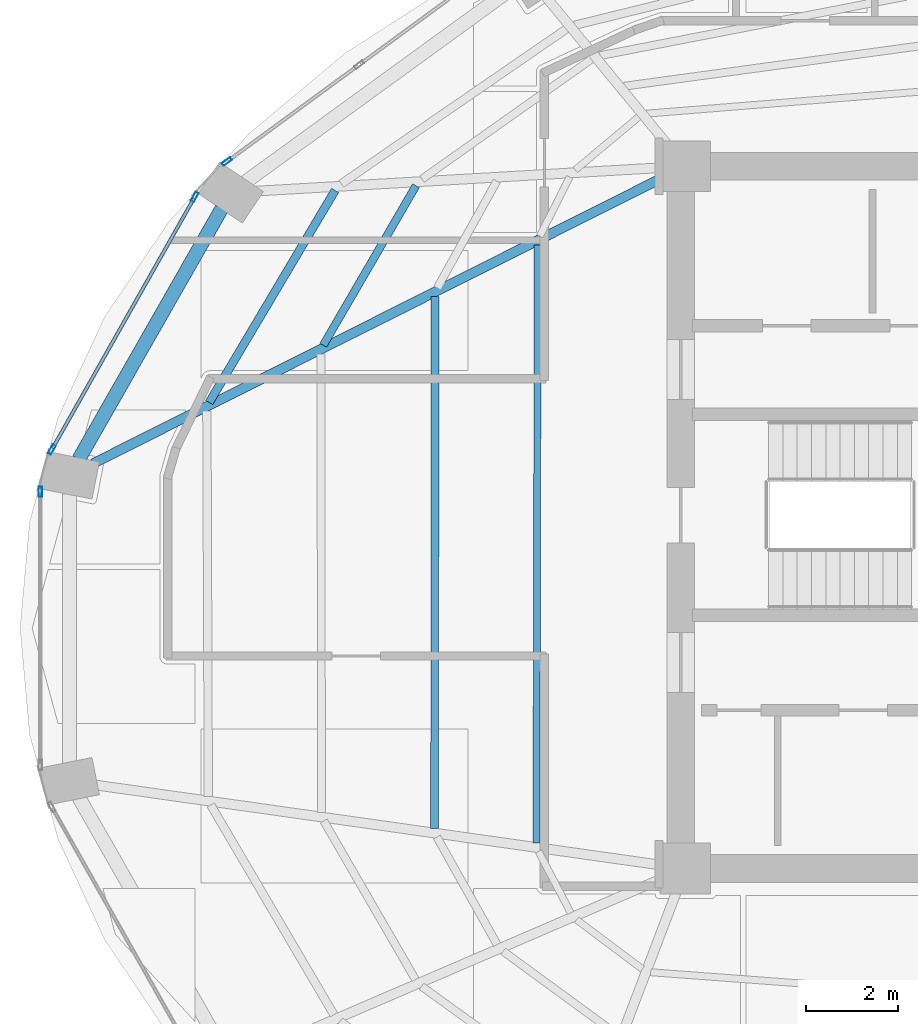
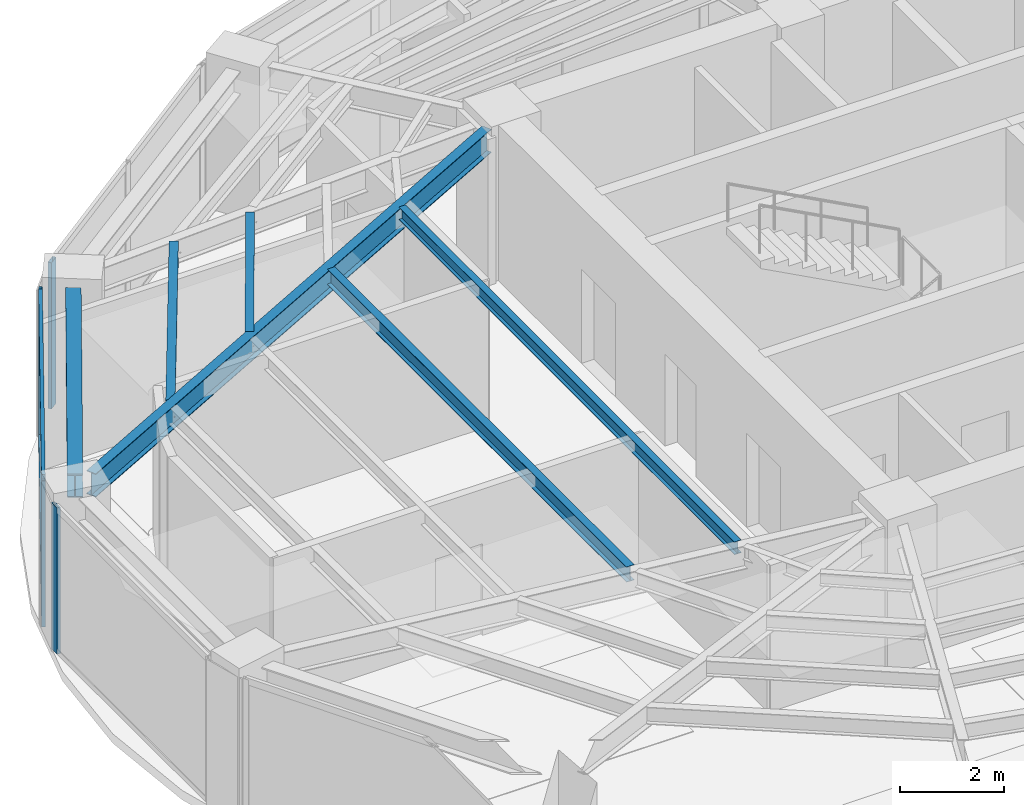
# One storey, part 6 of 20: 6 beams, 6 members, 3 elements without a shape of their own.
"""IFC4 building model written with IfcOpenShell, lengths in metres."""

from ifc_helpers import new_model, si_unit, direction, frame, origin, origin_2d, place, context, subcontext, project, spatial, hollow_rectangle, i_section, extrude, material, layer, layer_set, material_profile, profile_set, type_object, element, aggregate, save


model = new_model("IFC4")

# Units and contexts
model_context = context("Model", 3, precision=1e-05, world=origin(), true_north=direction((0.0, 1.0)))
body_context = subcontext(model_context, "Body", "Model", "MODEL_VIEW")
ifc_project = project(units=[si_unit("LENGTHUNIT", "METRE"), si_unit("AREAUNIT", "SQUARE_METRE"), si_unit("VOLUMEUNIT", "CUBIC_METRE"), si_unit("PLANEANGLEUNIT", "RADIAN"), si_unit("MASSUNIT", "GRAM", prefix="KILO")], contexts=[model_context])

# Site, building, storey
site_placement = place(None, origin())
site = spatial("IfcSite", under=ifc_project, at=site_placement, CompositionType="ELEMENT")
building_placement = place(site_placement, origin())
building = spatial("IfcBuilding", under=site, at=building_placement, Name="Lazwardi Medical Tower", CompositionType="ELEMENT")
storey_placement = place(building_placement, frame((0.0, 0.0, 160.176025390625)))
storey = spatial("IfcBuildingStorey", under=building, at=storey_placement, Name="L41", CompositionType="ELEMENT", Elevation=160.176025390625)

# Beams
ifc_material_1 = material(Name="Steel S355", Category="steel")
ifc_material_profile_1 = material_profile(ifc_material_1, i_section(OverallWidth=0.300048828125, OverallDepth=0.550048828125, WebThickness=0.014892578125, FlangeThickness=0.029052734375, at=origin_2d()), Name="HEB 550")
ifc_profile_set_1 = profile_set([ifc_material_profile_1], Name="Steel S355")
beam_type_1 = type_object("IfcBeamType", Name="BM-RB-Z3", PredefinedType="BEAM", material=ifc_profile_set_1)
beam_1_placement = place(storey_placement, frame((16.3662109375, 34.683349609375, 3.153076171875), z_axis=(-0.495477752551, -0.868620628771, 0.0), x_axis=(0.868620628771, -0.495477752551, 0.0)))
element("IfcBeam", 1, at=beam_1_placement, inside=storey, type_object=beam_type_1, Name="Ring beam RB-04 B11 L41", PredefinedType="BEAM", context=body_context, shape_type="SweptSolid", body=[
    extrude(i_section(OverallWidth=0.300048828125, OverallDepth=0.550048828125, WebThickness=0.014892578125, FlangeThickness=0.029052734375, at=origin_2d()), origin(), (0.0, 0.0, 1.0), 6.244384765625),
])
ifc_material_profile_2 = material_profile(ifc_material_1, i_section(OverallWidth=0.2099609375, OverallDepth=0.550048828125, WebThickness=0.010986328125, FlangeThickness=0.01708984375, at=origin_2d()), Name="IPE 550")
ifc_profile_set_2 = profile_set([ifc_material_profile_2], Name="Steel S355")
beam_type_2 = type_object("IfcBeamType", Name="BM-RG-W2", PredefinedType="BEAM", material=ifc_profile_set_2)
beam_2_placement = place(storey_placement, frame((13.57470703125, 29.162841796875, 3.153076171875), z_axis=(0.893740468624, 0.448584412061, 0.0), x_axis=(-0.448584412061, 0.893740468624, 0.0)))
element("IfcBeam", 2, at=beam_2_placement, inside=storey, type_object=beam_type_2, Name="Radial girder RG-03 R12 L41", PredefinedType="BEAM", context=body_context, shape_type="SweptSolid", body=[
    extrude(i_section(OverallWidth=0.2099609375, OverallDepth=0.550048828125, WebThickness=0.010986328125, FlangeThickness=0.01708984375, at=origin_2d()), origin(), (0.0, 0.0, 1.0), 13.815185546875),
])
ifc_material_profile_3 = material_profile(ifc_material_1, i_section(OverallWidth=0.179931640625, OverallDepth=0.39990234375, WebThickness=0.008544921875, FlangeThickness=0.013427734375, at=origin_2d()), Name="IPE 400")
ifc_profile_set_3 = profile_set([ifc_material_profile_3], Name="Steel S355")
beam_type_3 = type_object("IfcBeamType", Name="BM-SJ-01", PredefinedType="JOIST", material=ifc_profile_set_3)
beam_3_placement = place(storey_placement, frame((18.82080078125, 35.078369140625, 3.22802734375), z_axis=(-0.510569396963, -0.859836548935, 0.0), x_axis=(0.859836548935, -0.510569396963, 0.0)))
element("IfcBeam", 3, at=beam_3_placement, inside=storey, type_object=beam_type_3, Name="Secondary joist SJ-01 R1 B11 L41", PredefinedType="JOIST", context=body_context, shape_type="SweptSolid", body=[
    extrude(i_section(OverallWidth=0.179931640625, OverallDepth=0.39990234375, WebThickness=0.008544921875, FlangeThickness=0.013427734375, at=origin_2d()), origin(), (0.0, 0.0, 1.0), 5.33837890625),
])
ifc_material_profile_4 = material_profile(ifc_material_1, i_section(OverallWidth=0.169921875, OverallDepth=0.360107421875, WebThickness=0.008056640625, FlangeThickness=0.0126953125, at=origin_2d()), Name="IPE 360")
ifc_profile_set_4 = profile_set([ifc_material_profile_4], Name="Steel S355")
beam_type_4 = type_object("IfcBeamType", Name="BM-SJ-02", PredefinedType="JOIST", material=ifc_profile_set_4)
beam_4_placement = place(storey_placement, frame((20.5703125, 35.17919921875, 3.248046875), z_axis=(-0.502665102216, -0.864481228839, 0.0), x_axis=(0.864481228839, -0.502665102216, 0.0)))
element("IfcBeam", 4, at=beam_4_placement, inside=storey, type_object=beam_type_4, Name="Secondary joist SJ-02 R2 B11 L41", PredefinedType="JOIST", context=body_context, shape_type="SweptSolid", body=[
    extrude(i_section(OverallWidth=0.169921875, OverallDepth=0.360107421875, WebThickness=0.008056640625, FlangeThickness=0.0126953125, at=origin_2d()), origin(), (0.0, 0.0, 1.0), 3.991943359375),
])
beam_5_placement = place(storey_placement, frame((20.98291015625, 32.78125, 3.248046875), z_axis=(-0.000805852776, -0.999999675301, 0.0), x_axis=(0.999999675301, -0.000805852776, 0.0)))
element("IfcBeam", 5, at=beam_5_placement, inside=storey, type_object=beam_type_4, Name="Secondary joist SJ-02 R3 B12 L41", PredefinedType="JOIST", context=body_context, shape_type="SweptSolid", body=[
    extrude(i_section(OverallWidth=0.169921875, OverallDepth=0.360107421875, WebThickness=0.008056640625, FlangeThickness=0.0126953125, at=origin_2d()), origin(), (0.0, 0.0, 1.0), 11.512451171875),
])
ifc_material_profile_5 = material_profile(ifc_material_1, i_section(OverallWidth=0.14990234375, OverallDepth=0.300048828125, WebThickness=0.007080078125, FlangeThickness=0.0107421875, at=origin_2d()), Name="IPE 300")
ifc_profile_set_5 = profile_set([ifc_material_profile_5], Name="Steel S355")
beam_type_5 = type_object("IfcBeamType", Name="BM-SJ-03", PredefinedType="JOIST", material=ifc_profile_set_5)
beam_6_placement = place(storey_placement, frame((23.205078125, 33.896484375, 3.278076171875), z_axis=(-0.002150897838, -0.999997686817, 0.0), x_axis=(0.999997686817, -0.002150897838, 0.0)))
element("IfcBeam", 6, at=beam_6_placement, inside=storey, type_object=beam_type_5, Name="Secondary joist SJ-03 R4 B12 L41", PredefinedType="JOIST", context=body_context, shape_type="SweptSolid", body=[
    extrude(i_section(OverallWidth=0.14990234375, OverallDepth=0.300048828125, WebThickness=0.007080078125, FlangeThickness=0.0107421875, at=origin_2d()), origin(), (0.0, 0.0, 1.0), 12.939697265625),
])

# Curtain wall, member
ifc_material_2 = material(Name="Anodised bronze aluminium and solar control glazing", Category="aluminium")
ifc_layer = layer(ifc_material_2, 0.195068359375)
ifc_layer_set = layer_set([ifc_layer], Name="Anodised bronze aluminium and solar control glazing")
curtain_wall_type = type_object("IfcCurtainWallType", Name="CW-SYS-03", PredefinedType="NOTDEFINED", material=ifc_layer_set)
curtain_wall_1_placement = place(storey_placement, origin())
curtain_wall_1 = element("IfcCurtainWall", 7, at=curtain_wall_1_placement, inside=storey, type_object=curtain_wall_type, Name="L41 Unitised bronze curtain wall CW-03", PredefinedType="NOTDEFINED")
ifc_material_3 = material(Name="Anodised bronze aluminium", Category="aluminium")
ifc_material_profile_6 = material_profile(ifc_material_3, hollow_rectangle(XDim=0.074951171875, YDim=0.219970703125, WallThickness=0.00390625, at=origin_2d()), Name="ALU-MULLION 220x75x4")
ifc_profile_set_6 = profile_set([ifc_material_profile_6], Name="Anodised bronze aluminium")
member_type_1 = type_object("IfcMemberType", Name="CW-MUL-01", PredefinedType="MULLION", material=ifc_profile_set_6)
member_1_placement = place(storey_placement, frame((16.480224609375, 35.702880859375, 0.0), z_axis=(0.0, 0.0, 1.0), x_axis=(0.590833862635, -0.806793249082, 0.0)))
member_1 = element("IfcMember", 8, at=member_1_placement, type_object=member_type_1, Name="CW-03 mullion 3", PredefinedType="MULLION", context=body_context, shape_type="SweptSolid", body=[
    extrude(hollow_rectangle(XDim=0.074951171875, YDim=0.219970703125, WallThickness=0.00390625, at=origin_2d()), origin(), (0.0, 0.0, 1.0), 3.427978515625),
])
aggregate(curtain_wall_1, [member_1])

# Curtain wall, members
curtain_wall_2_placement = place(storey_placement, origin())
curtain_wall_2 = element("IfcCurtainWall", 9, at=curtain_wall_2_placement, inside=storey, type_object=curtain_wall_type, Name="L41 Unitised bronze curtain wall CW-03", PredefinedType="NOTDEFINED")
member_2_placement = place(storey_placement, frame((15.782470703125, 34.936767578125, 0.0), z_axis=(0.0, 0.0, 1.0), x_axis=(0.870418989303, -0.492311672683, 0.0)))
member_2 = element("IfcMember", 10, at=member_2_placement, type_object=member_type_1, Name="CW-03 mullion 1", PredefinedType="MULLION", context=body_context, shape_type="SweptSolid", body=[
    extrude(hollow_rectangle(XDim=0.074951171875, YDim=0.219970703125, WallThickness=0.00390625, at=origin_2d()), origin(), (0.0, 0.0, 1.0), 3.427978515625),
])
member_3_placement = place(storey_placement, frame((12.68896484375, 29.46728515625, 0.0), z_axis=(0.0, 0.0, 1.0), x_axis=(0.870418989303, -0.492311672683, 0.0)))
member_3 = element("IfcMember", 11, at=member_3_placement, type_object=member_type_1, Name="CW-03 mullion 2", PredefinedType="MULLION", context=body_context, shape_type="SweptSolid", body=[
    extrude(hollow_rectangle(XDim=0.074951171875, YDim=0.219970703125, WallThickness=0.00390625, at=origin_2d()), origin(), (0.0, 0.0, 1.0), 3.427978515625),
])

# Curtain wall, member
curtain_wall_3_placement = place(storey_placement, origin())
curtain_wall_3 = element("IfcCurtainWall", 12, at=curtain_wall_3_placement, inside=storey, type_object=curtain_wall_type, Name="L41 Unitised bronze curtain wall CW-03", PredefinedType="NOTDEFINED")
member_4_placement = place(storey_placement, frame((12.4423828125, 28.557861328125, 0.0), z_axis=(0.0, 0.0, 1.0), x_axis=(1.0, 0.0, 0.0)))
member_4 = element("IfcMember", 13, at=member_4_placement, type_object=member_type_1, Name="CW-03 mullion 1", PredefinedType="MULLION", context=body_context, shape_type="SweptSolid", body=[
    extrude(hollow_rectangle(XDim=0.074951171875, YDim=0.219970703125, WallThickness=0.00390625, at=origin_2d()), origin(), (0.0, 0.0, 1.0), 3.427978515625),
])
aggregate(curtain_wall_3, [member_4])

# Member
ifc_material_profile_7 = material_profile(ifc_material_3, hollow_rectangle(XDim=0.074951171875, YDim=0.159912109375, WallThickness=0.00390625, at=origin_2d()), Name="ALU-TRANSOM 160x75x4")
ifc_profile_set_7 = profile_set([ifc_material_profile_7], Name="Anodised bronze aluminium")
member_type_2 = type_object("IfcMemberType", Name="CW-TRN-01", PredefinedType="USERDEFINED", material=ifc_profile_set_7)
member_5_placement = place(storey_placement, frame((15.763916015625, 34.904052734375, 0.037353515625), z_axis=(-0.492322860598, -0.870412661289, 0.0), x_axis=(0.870412661289, -0.492322860598, 0.0)))
member_5 = element("IfcMember", 14, at=member_5_placement, type_object=member_type_2, Name="CW-03 transom 1.1", ObjectType="TRANSOM", PredefinedType="USERDEFINED", context=body_context, shape_type="SweptSolid", body=[
    extrude(hollow_rectangle(XDim=0.074951171875, YDim=0.159912109375, WallThickness=0.00390625, at=origin_2d()), origin(), (0.0, 0.0, 1.0), 6.20849609375),
])

member_6_placement = place(storey_placement, frame((15.763916015625, 34.904052734375, 3.390380859375), z_axis=(-0.492322860598, -0.870412661289, 0.0), x_axis=(0.870412661289, -0.492322860598, 0.0)))
member_6 = element("IfcMember", 15, at=member_6_placement, type_object=member_type_2, Name="CW-03 transom 1.2", ObjectType="TRANSOM", PredefinedType="USERDEFINED", context=body_context, shape_type="SweptSolid", body=[
    extrude(hollow_rectangle(XDim=0.074951171875, YDim=0.159912109375, WallThickness=0.00390625, at=origin_2d()), origin(), (0.0, 0.0, 1.0), 6.20849609375),
])

aggregate(curtain_wall_2, [member_2, member_3, member_5, member_6])

save(model, "model.ifc")
